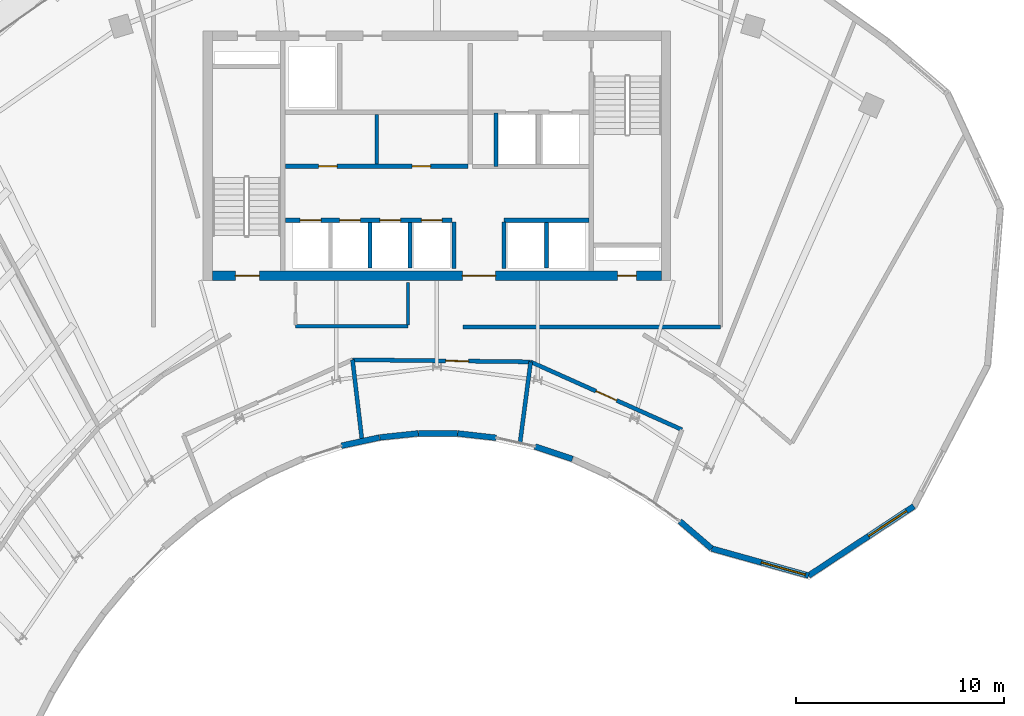
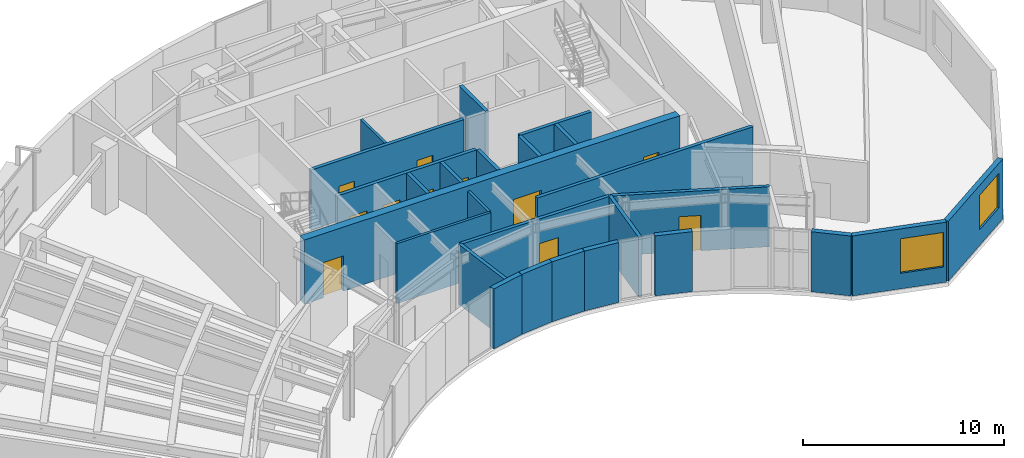
# One storey, part 8 of 12: 26 walls, 11 doors, 2 windows, 13 openings.
"""IFC4 building model written with IfcOpenShell, lengths in metres."""

import ifcopenshell
import ifcopenshell.guid

model = None  # the IFC model being written
_history = None  # IfcOwnerHistory: only IFC2X3 demands one
_inside = {}  # id of a spatial element -> (the spatial element, [elements in it])
_under = {}  # id of a project, library or spatial element -> (it, [spatial elements below it])
_declared = {}  # id of a project -> (the project, [libraries it declares])
_typed = {}  # id of a type object -> (the type object, [elements of that type])
_made_of = {}  # id of a material, layer set ... -> (it, [elements and type objects made of it])


def new_model(schema):
    """Start an empty IFC model of exactly this schema.

    Asked for "IFC4X3", IfcOpenShell would pick the latest addendum, in which some entities
    have other attributes; the version numbers below select the first issue.
    IFC2X3 requires an IfcOwnerHistory on every rooted entity: one is made here for all.
    """
    global model, _history
    if schema == "IFC4X3":
        model = ifcopenshell.file(schema_version=(4, 3, 0, 0))
    else:
        model = ifcopenshell.file(schema=schema)
    _inside.clear()
    _under.clear()
    _declared.clear()
    _typed.clear()
    _made_of.clear()
    _history = None
    if model.schema == "IFC2X3":
        org = make("IfcOrganization", Name="unknown")
        user = make(
            "IfcPersonAndOrganization",
            ThePerson=make("IfcPerson", FamilyName="unknown"),
            TheOrganization=org,
        )
        app = make(
            "IfcApplication",
            ApplicationDeveloper=org,
            Version="unknown",
            ApplicationFullName="unknown",
            ApplicationIdentifier="unknown",
        )
        _history = make(
            "IfcOwnerHistory",
            OwningUser=user,
            OwningApplication=app,
            ChangeAction="ADDED",
            CreationDate=0,
        )
    return model


def make(cls, **values):
    """One entity of the class cls with the attributes given. An attribute that is None is left unset."""
    return model.create_entity(
        cls, **{name: value for name, value in values.items() if value is not None}
    )


def rooted(cls, **values):
    """An entity with a GlobalId (a new one), such as an element, a storey or a relation."""
    return make(cls, GlobalId=ifcopenshell.guid.new(), OwnerHistory=_history, **values)


def si_unit(unit_type, name, prefix=None):
    """IfcSIUnit, for example si_unit("LENGTHUNIT", "METRE", prefix="MILLI")."""
    return make("IfcSIUnit", UnitType=unit_type, Prefix=prefix, Name=name)


def assignment(units):
    """IfcUnitAssignment: the units of a project."""
    return None if units is None else make("IfcUnitAssignment", Units=units)


def point(xyz):
    """IfcCartesianPoint."""
    return None if xyz is None else make("IfcCartesianPoint", Coordinates=xyz)


def direction(xyz):
    """IfcDirection."""
    return None if xyz is None else make("IfcDirection", DirectionRatios=xyz)


def frame(location, z_axis=None, x_axis=None):
    """IfcAxis2Placement3D, a coordinate frame: its origin and axes. An axis left out is left unset."""
    return make(
        "IfcAxis2Placement3D",
        Location=point(location),
        Axis=direction(z_axis),
        RefDirection=direction(x_axis),
    )


def frame_2d(location, x_axis=None):
    """IfcAxis2Placement2D, a coordinate frame in the plane: its origin and x axis."""
    return make(
        "IfcAxis2Placement2D", Location=point(location), RefDirection=direction(x_axis)
    )


def origin():
    """The frame at (0, 0, 0) with its axes left unset."""
    return frame((0.0, 0.0, 0.0))


def place(relative_to, where):
    """IfcLocalPlacement: puts the frame where relative to a parent placement (None: the world)."""
    return make(
        "IfcLocalPlacement", PlacementRelTo=relative_to, RelativePlacement=where
    )


def context(
    kind, dimensions, precision=None, world=None, true_north=None, identifier=None
):
    """IfcGeometricRepresentationContext, for example the 3D "Model" context."""
    return make(
        "IfcGeometricRepresentationContext",
        ContextIdentifier=identifier,
        ContextType=kind,
        CoordinateSpaceDimension=dimensions,
        Precision=precision,
        WorldCoordinateSystem=world,
        TrueNorth=true_north,
    )


def subcontext(parent, identifier, kind, view, scale=None):
    """IfcGeometricRepresentationSubContext, for example "Body" below "Model"."""
    return make(
        "IfcGeometricRepresentationSubContext",
        ContextIdentifier=identifier,
        ContextType=kind,
        ParentContext=parent,
        TargetScale=scale,
        TargetView=view,
    )


def project(units=None, contexts=None):
    """IfcProject with its units and contexts."""
    return rooted(
        "IfcProject",
        Name="project",
        RepresentationContexts=contexts,
        UnitsInContext=assignment(units),
    )


def spatial(cls, under=None, at=None, **own):
    """A site, building, storey or space (cls), placed at a placement, below another one or the project."""
    s = rooted(cls, ObjectPlacement=at, **own)
    if under is not None:
        _under.setdefault(under.id(), (under, []))[1].append(s)
    return s


def profile(cls, at=None, kind="AREA", **sizes):
    """A parametric profile (cls). Its sizes go by their IFC names, for example OverallWidth=200.0."""
    return make(cls, ProfileType=kind, Position=at, **sizes)


def rectangle(**sizes):
    """IfcRectangleProfileDef."""
    return profile("IfcRectangleProfileDef", **sizes)


def extrude(swept, where, along, depth):
    """IfcExtrudedAreaSolid: the profile swept, set in the frame where, extruded along a direction by depth."""
    return make(
        "IfcExtrudedAreaSolid",
        SweptArea=swept,
        Position=where,
        ExtrudedDirection=direction(along),
        Depth=depth,
    )


def shape(context_of_items, identifier, shape_type, items):
    """IfcShapeRepresentation: the items that make up one representation, for example the "Body"."""
    return make(
        "IfcShapeRepresentation",
        ContextOfItems=context_of_items,
        RepresentationIdentifier=identifier,
        RepresentationType=shape_type,
        Items=items,
    )


def source(mapping_origin, context_of_items, identifier, shape_type, items):
    """IfcRepresentationMap: a shape defined once, which mapped items show again and again."""
    return make(
        "IfcRepresentationMap",
        MappingOrigin=mapping_origin,
        MappedRepresentation=shape(context_of_items, identifier, shape_type, items),
    )


def transform(
    local_origin,
    x_axis=None,
    y_axis=None,
    z_axis=None,
    scale=None,
    scale2=None,
    scale3=None,
    uniform=True,
):
    """IfcCartesianTransformationOperator3D, or its non-uniform kind. x_axis, y_axis, z_axis: its Axis1, 2, 3."""
    if uniform:
        return make(
            "IfcCartesianTransformationOperator3D",
            Axis1=direction(x_axis),
            Axis2=direction(y_axis),
            LocalOrigin=point(local_origin),
            Scale=scale,
            Axis3=direction(z_axis),
        )
    return make(
        "IfcCartesianTransformationOperator3DnonUniform",
        Axis1=direction(x_axis),
        Axis2=direction(y_axis),
        LocalOrigin=point(local_origin),
        Scale=scale,
        Axis3=direction(z_axis),
        Scale2=scale2,
        Scale3=scale3,
    )


def mapped(mapping_source, mapping_target):
    """IfcMappedItem: shows the shape of a source again, moved by a transform."""
    return make(
        "IfcMappedItem", MappingSource=mapping_source, MappingTarget=mapping_target
    )


def material(Name=None, Category=None):
    """IfcMaterial."""
    return make("IfcMaterial", Name=Name, Category=Category)


def layer(
    of_material, thickness, ventilated=None, Name=None, Category=None, Priority=None
):
    """IfcMaterialLayer: one layer of a wall or slab, of a material (None: an air gap)."""
    return make(
        "IfcMaterialLayer",
        Material=of_material,
        LayerThickness=thickness,
        IsVentilated=ventilated,
        Name=Name,
        Category=Category,
        Priority=Priority,
    )


def layer_set(layers, Name=None):
    """IfcMaterialLayerSet."""
    return make("IfcMaterialLayerSet", MaterialLayers=layers, LayerSetName=Name)


def made_of(thing, what):
    """Note that an element or type object is made of a material, layer set ...; save() writes the relation."""
    if what is not None:
        _made_of.setdefault(what.id(), (what, []))[1].append(thing)
    return thing


def type_object(cls, material=None, **own):
    """A type object (cls), such as IfcWallType, which elements share."""
    return made_of(rooted(cls, **own), material)


def type_shapes(of_type, sources):
    """Give a type object the sources (RepresentationMaps) that its elements show as mapped items."""
    of_type.RepresentationMaps = sources


def element(
    cls,
    number,
    at=None,
    inside=None,
    cuts=None,
    type_object=None,
    material=None,
    context=None,
    identifier="Body",
    shape_type=None,
    held_by="IfcProductDefinitionShape",
    body=None,
    shapes=None,
    **own,
):
    """One element of the class cls, such as IfcWall. Its Tag is "e" and its number.

    at: its placement. inside: the storey or other place that contains it. cuts: it is an
    opening in that element (IfcRelVoidsElement). A single representation is given by context,
    identifier, shape_type and body (its items); several are given by shapes. held_by: the class
    of the entity that holds the representations. save() writes the other relations.
    """
    e = rooted(cls, Tag="e%d" % number, ObjectPlacement=at, **own)
    if body is not None:
        shapes = [shape(context, identifier, shape_type, body)]
    if shapes is not None:
        e.Representation = make(held_by, Representations=shapes)
    if inside is not None:
        _inside.setdefault(inside.id(), (inside, []))[1].append(e)
    if cuts is not None:
        rooted(
            "IfcRelVoidsElement", RelatingBuildingElement=cuts, RelatedOpeningElement=e
        )
    if type_object is not None:
        _typed.setdefault(type_object.id(), (type_object, []))[1].append(e)
    return made_of(e, material)


def fill(opening, filler):
    """IfcRelFillsElement: the door or window that sits in an opening."""
    return rooted(
        "IfcRelFillsElement",
        RelatingOpeningElement=opening,
        RelatedBuildingElement=filler,
    )


def aggregate(whole, parts):
    """IfcRelAggregates: a whole, such as a stair, and the parts it consists of."""
    return rooted("IfcRelAggregates", RelatingObject=whole, RelatedObjects=parts)


def save(model, path):
    """Write the relations noted so far, then the file.

    IfcRelAggregates (storeys below a building ...), IfcRelContainedInSpatialStructure (elements
    in a storey), IfcRelDefinesByType, IfcRelAssociatesMaterial and IfcRelDeclares: one each for
    every whole, place, type object, material and project.
    """
    for whole, parts in _under.values():
        aggregate(whole, parts)
    for where, things in _inside.values():
        rooted(
            "IfcRelContainedInSpatialStructure",
            RelatedElements=things,
            RelatingStructure=where,
        )
    for kind, things in _typed.values():
        rooted("IfcRelDefinesByType", RelatedObjects=things, RelatingType=kind)
    for what, things in _made_of.values():
        rooted("IfcRelAssociatesMaterial", RelatedObjects=things, RelatingMaterial=what)
    for by, libraries in _declared.values():
        rooted("IfcRelDeclares", RelatingContext=by, RelatedDefinitions=libraries)
    model.write(path)


model = new_model("IFC4")

# Units and contexts
model_context = context("Model", 3, precision=1e-05, world=origin(), true_north=direction((0.0, 1.0)))
body_context = subcontext(model_context, "Body", "Model", "MODEL_VIEW")
ifc_project = project(units=[si_unit("LENGTHUNIT", "METRE"), si_unit("AREAUNIT", "SQUARE_METRE"), si_unit("VOLUMEUNIT", "CUBIC_METRE"), si_unit("PLANEANGLEUNIT", "RADIAN"), si_unit("MASSUNIT", "GRAM", prefix="KILO")], contexts=[model_context])

# Site, building, storey
site_placement = place(None, origin())
site = spatial("IfcSite", under=ifc_project, at=site_placement, CompositionType="ELEMENT")
building_placement = place(site_placement, origin())
building = spatial("IfcBuilding", under=site, at=building_placement, Name="Breltana Convention Tower", CompositionType="ELEMENT")
storey_placement = place(building_placement, frame((0.0, 0.0, 246.89990234375)))
storey = spatial("IfcBuildingStorey", under=building, at=storey_placement, Name="L60", CompositionType="ELEMENT", Elevation=246.89990234375)

# Wall, openings, doors
ifc_material_1 = material(Name="Concrete C60/75", Category="concrete")
ifc_layer_1 = layer(ifc_material_1, 0.449951171875, Name="Concrete C60/75")
ifc_layer_set_1 = layer_set([ifc_layer_1], Name="Concrete C60/75")
wall_type_1 = type_object("IfcWallType", Name="SW-CORE-450", PredefinedType="SHEAR", material=ifc_layer_set_1)
shared_shape_1 = source(origin(), body_context, "Body", "SweptSolid", [
    extrude(rectangle(XDim=21.60009765625, YDim=0.449951171875, at=frame_2d((10.800048828125, 0.0))), origin(), (0.0, 0.0, 1.0), 3.900146484375),
])
wall_1_placement = place(storey_placement, frame((37.199951171875, 60.425048828125, 0.0), z_axis=(0.0, 0.0, 1.0), x_axis=(1.0, 0.0, 0.0)))
wall_1 = element("IfcWall", 1, at=wall_1_placement, inside=storey, type_object=wall_type_1, Name="L60 South Core Shear Wall", PredefinedType="SHEAR", context=body_context, shape_type="MappedRepresentation", body=[
    mapped(shared_shape_1, transform((0.0, 0.0, 0.0), scale=1.0)),
])
opening_1_placement = place(wall_1_placement, frame((1.10009765625, 0.0, 0.0)))
opening_1 = element("IfcOpeningElement", 2, at=opening_1_placement, cuts=wall_1, Name="Opening D-11", PredefinedType="OPENING", context=body_context, shape_type="SweptSolid", body=[
    extrude(rectangle(XDim=1.14990234375, YDim=2.14990234375, at=frame_2d((0.574951171875, 1.074951171875))), frame((0.0, 0.23486328125, 0.0), z_axis=(0.0, -1.0, 0.0), x_axis=(1.0, 0.0, 0.0)), (0.0, 0.0, 1.0), 0.469970703125),
])
opening_2_placement = place(wall_1_placement, frame((19.5, 0.0, 0.0)))
opening_2 = element("IfcOpeningElement", 3, at=opening_2_placement, cuts=wall_1, Name="Opening D-18", PredefinedType="OPENING", context=body_context, shape_type="SweptSolid", body=[
    extrude(rectangle(XDim=0.89990234375, YDim=2.10009765625, at=frame_2d((0.449951171875, 1.050048828125))), frame((0.0, 0.23486328125, 0.0), z_axis=(0.0, -1.0, 0.0), x_axis=(1.0, 0.0, 0.0)), (0.0, 0.0, 1.0), 0.469970703125),
])
opening_3_placement = place(wall_1_placement, frame((12.02001953125, 0.0, 0.0)))
opening_3 = element("IfcOpeningElement", 4, at=opening_3_placement, cuts=wall_1, Name="Opening D-02", PredefinedType="OPENING", context=body_context, shape_type="SweptSolid", body=[
    extrude(rectangle(XDim=1.60009765625, YDim=2.14990234375, at=frame_2d((0.800048828125, 1.074951171875))), frame((0.0, 0.23486328125, 0.0), z_axis=(0.0, -1.0, 0.0), x_axis=(1.0, 0.0, 0.0)), (0.0, 0.0, 1.0), 0.469970703125),
])
ifc_material_2 = material(Name="Steel Stair Exit Door", Category="steel")
door_type_1 = type_object("IfcDoorType", Name="DR-FD120-1150", OperationType="NOTDEFINED", PredefinedType="DOOR", material=ifc_material_2)
shared_shape_2 = source(origin(), body_context, "Body", "SweptSolid", [
    extrude(rectangle(XDim=1.14990234375, YDim=2.14990234375, at=frame_2d((0.574951171875, 1.074951171875))), frame((0.0, 0.02490234375, 0.0), z_axis=(0.0, -1.0, 0.0), x_axis=(1.0, 0.0, 0.0)), (0.0, 0.0, 1.0), 0.050048828125),
])
type_shapes(door_type_1, [shared_shape_2])
door_1_placement = place(opening_1_placement, origin())
door_1 = element("IfcDoor", 5, at=door_1_placement, inside=storey, type_object=door_type_1, Name="L60 interior door D-L60-ST1", OperationType="SINGLE_SWING_LEFT", OverallHeight=2.14990234375, OverallWidth=1.14990234375, PredefinedType="DOOR", context=body_context, shape_type="MappedRepresentation", body=[
    mapped(shared_shape_2, transform((0.0, 0.0, 0.0), scale=1.0)),
])
fill(opening_1, door_1)
ifc_material_3 = material(Name="Steel Riser Fire Door", Category="steel")
door_type_2 = type_object("IfcDoorType", Name="DR-FD60-900", OperationType="NOTDEFINED", PredefinedType="DOOR", material=ifc_material_3)
shared_shape_3 = source(origin(), body_context, "Body", "SweptSolid", [
    extrude(rectangle(XDim=0.89990234375, YDim=2.10009765625, at=frame_2d((0.449951171875, 1.050048828125))), frame((0.0, 0.02490234375, 0.0), z_axis=(0.0, -1.0, 0.0), x_axis=(1.0, 0.0, 0.0)), (0.0, 0.0, 1.0), 0.050048828125),
])
type_shapes(door_type_2, [shared_shape_3])
door_2_placement = place(opening_2_placement, origin())
door_2 = element("IfcDoor", 6, at=door_2_placement, inside=storey, type_object=door_type_2, Name="L60 Core Riser Access Door D-L60-RS2", OperationType="SINGLE_SWING_RIGHT", OverallHeight=2.10009765625, OverallWidth=0.89990234375, PredefinedType="DOOR", context=body_context, shape_type="MappedRepresentation", body=[
    mapped(shared_shape_3, transform((0.0, 0.0, 0.0), scale=1.0)),
])
fill(opening_2, door_2)
ifc_material_4 = material(Name="Steel Glazed Smoke-Control Door", Category="steel")
door_type_3 = type_object("IfcDoorType", Name="DR-DBL-FD90-1600", OperationType="DOUBLE_DOOR_SINGLE_SWING", PredefinedType="DOOR", material=ifc_material_4)
shared_shape_4 = source(origin(), body_context, "Body", "SweptSolid", [
    extrude(rectangle(XDim=1.60009765625, YDim=2.14990234375, at=frame_2d((0.800048828125, 1.074951171875))), frame((0.0, 0.02490234375, 0.0), z_axis=(0.0, -1.0, 0.0), x_axis=(1.0, 0.0, 0.0)), (0.0, 0.0, 1.0), 0.050048828125),
])
type_shapes(door_type_3, [shared_shape_4])
door_3_placement = place(opening_3_placement, origin())
door_3 = element("IfcDoor", 7, at=door_3_placement, inside=storey, type_object=door_type_3, Name="L60 interior door D-L60-LLB-S", OperationType="DOUBLE_DOOR_SINGLE_SWING", OverallHeight=2.14990234375, OverallWidth=1.60009765625, PredefinedType="DOOR", context=body_context, shape_type="MappedRepresentation", body=[
    mapped(shared_shape_4, transform((0.0, 0.0, 0.0), scale=1.0)),
])
fill(opening_3, door_3)

# Wall, opening, window
ifc_material_5 = material(Name="Limestone Buff Insulated Wall", Category="masonry")
ifc_layer_2 = layer(ifc_material_5, 0.280029296875, Name="Limestone Buff Insulated Wall")
ifc_layer_set_2 = layer_set([ifc_layer_2], Name="Limestone Buff Insulated Wall")
wall_type_2 = type_object("IfcWallType", Name="WL-EXT-NOSE-280", PredefinedType="SOLIDWALL", material=ifc_layer_set_2)
shared_shape_5 = source(origin(), body_context, "Body", "SweptSolid", [
    extrude(rectangle(XDim=6.065185546875, YDim=0.280029296875, at=frame_2d((3.03271484375, 0.0))), origin(), (0.0, 0.0, 1.0), 3.650146484375),
])
wall_2_placement = place(storey_placement, frame((70.9541015625, 49.3349609375, 0.0), z_axis=(0.0, 0.0, 1.0), x_axis=(-0.834857303202, -0.550466423399, 0.0)))
wall_2 = element("IfcWall", 8, at=wall_2_placement, inside=storey, type_object=wall_type_2, Name="L60 curved limestone nose wall E4", PredefinedType="SOLIDWALL", context=body_context, shape_type="MappedRepresentation", body=[
    mapped(shared_shape_5, transform((0.0, 0.0, 0.0), scale=1.0)),
])
opening_4_placement = place(wall_2_placement, frame((0.416259765625, 0.0, 0.949951171875)))
opening_4 = element("IfcOpeningElement", 9, at=opening_4_placement, cuts=wall_2, Name="Opening W-03", PredefinedType="OPENING", context=body_context, shape_type="SweptSolid", body=[
    extrude(rectangle(XDim=2.199951171875, YDim=2.10009765625, at=frame_2d((1.10009765625, 1.050048828125))), frame((0.0, 0.14990234375, 0.0), z_axis=(0.0, -1.0, 0.0), x_axis=(1.0, 0.0, 0.0)), (0.0, 0.0, 1.0), 0.300048828125),
])
ifc_material_6 = material(Name="Glass Low-E Insulated Window", Category="glass")
window_type = type_object("IfcWindowType", Name="WN-NOSE-2200X2100", PartitioningType="TRIPLE_PANEL_VERTICAL", PredefinedType="WINDOW", material=ifc_material_6)
shared_shape_6 = source(origin(), body_context, "Body", "SweptSolid", [
    extrude(rectangle(XDim=2.199951171875, YDim=2.10009765625, at=frame_2d((1.10009765625, 1.050048828125))), frame((0.0, 0.030029296875, 0.0), z_axis=(0.0, -1.0, 0.0), x_axis=(1.0, 0.0, 0.0)), (0.0, 0.0, 1.0), 0.06005859375),
])
type_shapes(window_type, [shared_shape_6])
window_1_placement = place(opening_4_placement, origin())
window_1 = element("IfcWindow", 10, at=window_1_placement, inside=storey, type_object=window_type, Name="L60 nose window E4", OverallHeight=2.10009765625, OverallWidth=2.199951171875, PartitioningType="TRIPLE_PANEL_VERTICAL", PredefinedType="WINDOW", context=body_context, shape_type="MappedRepresentation", body=[
    mapped(shared_shape_6, transform((0.0, 0.0, 0.0), scale=1.0)),
])
fill(opening_4, window_1)

shared_shape_7 = source(origin(), body_context, "Body", "SweptSolid", [
    extrude(rectangle(XDim=4.84716796875, YDim=0.280029296875, at=frame_2d((2.423583984375, 0.0))), origin(), (0.0, 0.0, 1.0), 3.650146484375),
])
wall_3_placement = place(storey_placement, frame((65.890625, 45.996337890625, 0.0), z_axis=(0.0, 0.0, 1.0), x_axis=(-0.963208430762, 0.268755500238, 0.0)))
wall_3 = element("IfcWall", 11, at=wall_3_placement, inside=storey, type_object=wall_type_2, Name="L60 curved limestone nose wall E5", PredefinedType="SOLIDWALL", context=body_context, shape_type="MappedRepresentation", body=[
    mapped(shared_shape_7, transform((0.0, 0.0, 0.0), scale=1.0)),
])
opening_5_placement = place(wall_3_placement, frame((0.159912109375, 0.0, 0.949951171875)))
opening_5 = element("IfcOpeningElement", 12, at=opening_5_placement, cuts=wall_3, Name="Opening W-03", PredefinedType="OPENING", context=body_context, shape_type="SweptSolid", body=[
    extrude(rectangle(XDim=2.199951171875, YDim=2.10009765625, at=frame_2d((1.10009765625, 1.050048828125))), frame((0.0, 0.14990234375, 0.0), z_axis=(0.0, -1.0, 0.0), x_axis=(1.0, 0.0, 0.0)), (0.0, 0.0, 1.0), 0.300048828125),
])
window_2_placement = place(opening_5_placement, origin())
window_2 = element("IfcWindow", 13, at=window_2_placement, inside=storey, type_object=window_type, Name="L60 nose window E5", OverallHeight=2.10009765625, OverallWidth=2.199951171875, PartitioningType="TRIPLE_PANEL_VERTICAL", PredefinedType="WINDOW", context=body_context, shape_type="MappedRepresentation", body=[
    mapped(shared_shape_6, transform((0.0, 0.0, 0.0), scale=1.0)),
])
fill(opening_5, window_2)

# Walls
shared_shape_8 = source(origin(), body_context, "Body", "SweptSolid", [
    extrude(rectangle(XDim=2.022216796875, YDim=0.280029296875, at=frame_2d((1.01123046875, 0.0))), origin(), (0.0, 0.0, 1.0), 3.650146484375),
])
wall_4_placement = place(storey_placement, frame((61.2216796875, 47.299072265625, 0.0), z_axis=(0.0, 0.0, 1.0), x_axis=(-0.758343943716, 0.651854633358, 0.0)))
element("IfcWall", 14, at=wall_4_placement, inside=storey, type_object=wall_type_2, Name="L60 curved limestone nose wall E6", PredefinedType="SOLIDWALL", context=body_context, shape_type="MappedRepresentation", body=[
    mapped(shared_shape_8, transform((0.0, 0.0, 0.0), scale=1.0)),
])
shared_shape_9 = source(origin(), body_context, "Body", "SweptSolid", [
    extrude(rectangle(XDim=1.901123046875, YDim=0.280029296875, at=frame_2d((0.95068359375, 0.0))), origin(), (0.0, 0.0, 1.0), 3.650146484375),
])
wall_5_placement = place(storey_placement, frame((54.52294921875, 51.608154296875, 0.0), z_axis=(0.0, 0.0, 1.0), x_axis=(-0.94793587841, 0.318461254194, 0.0)))
element("IfcWall", 15, at=wall_5_placement, inside=storey, type_object=wall_type_2, Name="L60 curved limestone nose wall E8", PredefinedType="SOLIDWALL", context=body_context, shape_type="MappedRepresentation", body=[
    mapped(shared_shape_9, transform((0.0, 0.0, 0.0), scale=1.0)),
])
shared_shape_10 = source(origin(), body_context, "Body", "SweptSolid", [
    extrude(rectangle(XDim=1.858154296875, YDim=0.280029296875, at=frame_2d((0.92919921875, 0.0))), origin(), (0.0, 0.0, 1.0), 3.650146484375),
])
wall_6_placement = place(storey_placement, frame((48.9794921875, 52.837890625, 0.0), z_axis=(0.0, 0.0, 1.0), x_axis=(-0.999995433965, 0.003021928128, 0.0)))
element("IfcWall", 16, at=wall_6_placement, inside=storey, type_object=wall_type_2, Name="L60 curved limestone nose wall E10", PredefinedType="SOLIDWALL", context=body_context, shape_type="MappedRepresentation", body=[
    mapped(shared_shape_10, transform((0.0, 0.0, 0.0), scale=1.0)),
])
shared_shape_11 = source(origin(), body_context, "Body", "SweptSolid", [
    extrude(rectangle(XDim=1.8623046875, YDim=0.280029296875, at=frame_2d((0.93115234375, 0.0))), origin(), (0.0, 0.0, 1.0), 3.650146484375),
])
wall_7_placement = place(storey_placement, frame((47.101806640625, 52.84228515625, 0.0), z_axis=(0.0, 0.0, 1.0), x_axis=(-0.994430497743, -0.1053944266, 0.0)))
element("IfcWall", 17, at=wall_7_placement, inside=storey, type_object=wall_type_2, Name="L60 curved limestone nose wall E11", PredefinedType="SOLIDWALL", context=body_context, shape_type="MappedRepresentation", body=[
    mapped(shared_shape_11, transform((0.0, 0.0, 0.0), scale=1.0)),
])
shared_shape_12 = source(origin(), body_context, "Body", "SweptSolid", [
    extrude(rectangle(XDim=1.876708984375, YDim=0.280029296875, at=frame_2d((0.9384765625, 0.0))), origin(), (0.0, 0.0, 1.0), 3.650146484375),
])
wall_8_placement = place(storey_placement, frame((45.230712890625, 52.642822265625, 0.0), z_axis=(0.0, 0.0, 1.0), x_axis=(-0.97737202312, -0.211527606761, 0.0)))
element("IfcWall", 18, at=wall_8_placement, inside=storey, type_object=wall_type_2, Name="L60 curved limestone nose wall E12", PredefinedType="SOLIDWALL", context=body_context, shape_type="MappedRepresentation", body=[
    mapped(shared_shape_12, transform((0.0, 0.0, 0.0), scale=1.0)),
])
shared_shape_13 = source(origin(), body_context, "Body", "SweptSolid", [
    extrude(rectangle(XDim=1.86328125, YDim=0.280029296875, at=frame_2d((0.931640625, 0.0))), origin(), (0.0, 0.0, 1.0), 3.650146484375),
])
wall_9_placement = place(storey_placement, frame((50.8505859375, 52.629638671875, 0.0), z_axis=(0.0, 0.0, 1.0), x_axis=(-0.9937939307, 0.111236789343, 0.0)))
element("IfcWall", 19, at=wall_9_placement, inside=storey, type_object=wall_type_2, Name="L60 curved limestone nose wall E9", PredefinedType="SOLIDWALL", context=body_context, shape_type="MappedRepresentation", body=[
    mapped(shared_shape_13, transform((0.0, 0.0, 0.0), scale=1.0)),
])
ifc_material_7 = material(Name="Autoclaved Aerated Concrete Block", Category="concrete")
ifc_layer_3 = layer(ifc_material_7, 0.199951171875, Name="Autoclaved Aerated Concrete Block")
ifc_layer_set_3 = layer_set([ifc_layer_3], Name="Autoclaved Aerated Concrete Block")
wall_type_3 = type_object("IfcWallType", Name="WL-SHAFT-200", PredefinedType="SOLIDWALL", material=ifc_layer_set_3)
shared_shape_14 = source(origin(), body_context, "Body", "SweptSolid", [
    extrude(rectangle(XDim=2.239990234375, YDim=0.199951171875, at=frame_2d((1.1201171875, 0.0))), origin(), (0.0, 0.0, 1.0), 3.650146484375),
])
for number, where, z_axis, x_axis, name in (
    (20, (48.820068359375, 60.780029296875, 0.0), (0.0, 0.0, 1.0), (0.0, 1.0, 0.0), "L60 interior partition W-L60-PORT-W"),
    (21, (51.219970703125, 60.780029296875, 0.0), (0.0, 0.0, 1.0), (0.0, 1.0, 0.0), "L60 interior partition W-L60-PORT-E"),
):
    element("IfcWall", number, at=place(storey_placement, frame(where, z_axis=z_axis, x_axis=x_axis)), inside=storey, type_object=wall_type_3, Name=name, PredefinedType="SOLIDWALL", context=body_context, shape_type="MappedRepresentation", body=[
        mapped(shared_shape_14, transform((0.0, 0.0, 0.0), scale=1.0)),
    ])
shared_shape_15 = source(origin(), body_context, "Body", "SweptSolid", [
    extrude(rectangle(XDim=2.580078125, YDim=0.199951171875, at=frame_2d((1.2900390625, 0.0))), origin(), (0.0, 0.0, 1.0), 3.650146484375),
])
wall_10_placement = place(storey_placement, frame((50.85009765625, 65.679931640625, 0.0), z_axis=(0.0, 0.0, 1.0), x_axis=(0.0, 1.0, 0.0)))
element("IfcWall", 22, at=wall_10_placement, inside=storey, type_object=wall_type_3, Name="L60 interior partition W-L60-FL-W", PredefinedType="SOLIDWALL", context=body_context, shape_type="MappedRepresentation", body=[
    mapped(shared_shape_15, transform((0.0, 0.0, 0.0), scale=1.0)),
])

# Wall, openings, doors
shared_shape_16 = source(origin(), body_context, "Body", "SweptSolid", [
    extrude(rectangle(XDim=8.800048828125, YDim=0.199951171875, at=frame_2d((4.39990234375, 0.0))), origin(), (0.0, 0.0, 1.0), 3.650146484375),
])
wall_11_placement = place(storey_placement, frame((40.699951171875, 65.699951171875, 0.0), z_axis=(0.0, 0.0, 1.0), x_axis=(1.0, 0.0, 0.0)))
wall_11 = element("IfcWall", 23, at=wall_11_placement, inside=storey, type_object=wall_type_3, Name="L60 interior partition W-L60-SH-M-FRONT", PredefinedType="SOLIDWALL", context=body_context, shape_type="MappedRepresentation", body=[
    mapped(shared_shape_16, transform((0.0, 0.0, 0.0), scale=1.0)),
])
opening_6_placement = place(wall_11_placement, frame((1.60009765625, 0.0, 0.0)))
opening_6 = element("IfcOpeningElement", 24, at=opening_6_placement, cuts=wall_11, Name="Opening D-18", PredefinedType="OPENING", context=body_context, shape_type="SweptSolid", body=[
    extrude(rectangle(XDim=0.89990234375, YDim=2.10009765625, at=frame_2d((0.449951171875, 1.050048828125))), frame((0.0, 0.10986328125, 0.0), z_axis=(0.0, -1.0, 0.0), x_axis=(1.0, 0.0, 0.0)), (0.0, 0.0, 1.0), 0.219970703125),
])
opening_7_placement = place(wall_11_placement, frame((6.10009765625, 0.0, 0.0)))
opening_7 = element("IfcOpeningElement", 25, at=opening_7_placement, cuts=wall_11, Name="Opening D-18", PredefinedType="OPENING", context=body_context, shape_type="SweptSolid", body=[
    extrude(rectangle(XDim=0.89990234375, YDim=2.10009765625, at=frame_2d((0.449951171875, 1.050048828125))), frame((0.0, 0.10986328125, 0.0), z_axis=(0.0, -1.0, 0.0), x_axis=(1.0, 0.0, 0.0)), (0.0, 0.0, 1.0), 0.219970703125),
])
door_4_placement = place(opening_6_placement, origin())
door_4 = element("IfcDoor", 26, at=door_4_placement, inside=storey, type_object=door_type_2, Name="L60 interior door D-L60-LV7-B2A", OperationType="SINGLE_SWING_LEFT", OverallHeight=2.10009765625, OverallWidth=0.89990234375, PredefinedType="DOOR", context=body_context, shape_type="MappedRepresentation", body=[
    mapped(shared_shape_3, transform((0.0, 0.0, 0.0), scale=1.0)),
])
fill(opening_6, door_4)
door_5_placement = place(opening_7_placement, origin())
door_5 = element("IfcDoor", 27, at=door_5_placement, inside=storey, type_object=door_type_2, Name="L60 interior door D-L60-LV7-B2B", OperationType="SINGLE_SWING_RIGHT", OverallHeight=2.10009765625, OverallWidth=0.89990234375, PredefinedType="DOOR", context=body_context, shape_type="MappedRepresentation", body=[
    mapped(shared_shape_3, transform((0.0, 0.0, 0.0), scale=1.0)),
])
fill(opening_7, door_5)

shared_shape_17 = source(origin(), body_context, "Body", "SweptSolid", [
    extrude(rectangle(XDim=8.02001953125, YDim=0.199951171875, at=frame_2d((4.010009765625, 0.0))), origin(), (0.0, 0.0, 1.0), 3.650146484375),
])
wall_12_placement = place(storey_placement, frame((40.699951171875, 63.10009765625, 0.0), z_axis=(0.0, 0.0, 1.0), x_axis=(1.0, 0.0, 0.0)))
wall_12 = element("IfcWall", 28, at=wall_12_placement, inside=storey, type_object=wall_type_3, Name="L60 interior partition W-L60-SH-S-FRONT", PredefinedType="SOLIDWALL", context=body_context, shape_type="MappedRepresentation", body=[
    mapped(shared_shape_17, transform((0.0, 0.0, 0.0), scale=1.0)),
])
opening_8_placement = place(wall_12_placement, frame((0.719970703125, 0.0, 0.0)))
opening_8 = element("IfcOpeningElement", 29, at=opening_8_placement, cuts=wall_12, Name="Opening LD-04", PredefinedType="OPENING", context=body_context, shape_type="SweptSolid", body=[
    extrude(rectangle(XDim=1.0, YDim=2.14990234375, at=frame_2d((0.5, 1.074951171875))), frame((0.0, 0.10986328125, 0.0), z_axis=(0.0, -1.0, 0.0), x_axis=(1.0, 0.0, 0.0)), (0.0, 0.0, 1.0), 0.219970703125),
])
opening_9_placement = place(wall_12_placement, frame((2.6201171875, 0.0, 0.0)))
opening_9 = element("IfcOpeningElement", 30, at=opening_9_placement, cuts=wall_12, Name="Opening LD-04", PredefinedType="OPENING", context=body_context, shape_type="SweptSolid", body=[
    extrude(rectangle(XDim=1.0, YDim=2.14990234375, at=frame_2d((0.5, 1.074951171875))), frame((0.0, 0.10986328125, 0.0), z_axis=(0.0, -1.0, 0.0), x_axis=(1.0, 0.0, 0.0)), (0.0, 0.0, 1.0), 0.219970703125),
])
opening_10_placement = place(wall_12_placement, frame((4.550048828125, 0.0, 0.0)))
opening_10 = element("IfcOpeningElement", 31, at=opening_10_placement, cuts=wall_12, Name="Opening LD-04", PredefinedType="OPENING", context=body_context, shape_type="SweptSolid", body=[
    extrude(rectangle(XDim=1.0, YDim=2.14990234375, at=frame_2d((0.5, 1.074951171875))), frame((0.0, 0.10986328125, 0.0), z_axis=(0.0, -1.0, 0.0), x_axis=(1.0, 0.0, 0.0)), (0.0, 0.0, 1.0), 0.219970703125),
])
opening_11_placement = place(wall_12_placement, frame((6.550048828125, 0.0, 0.0)))
opening_11 = element("IfcOpeningElement", 32, at=opening_11_placement, cuts=wall_12, Name="Opening LD-04", PredefinedType="OPENING", context=body_context, shape_type="SweptSolid", body=[
    extrude(rectangle(XDim=1.0, YDim=2.14990234375, at=frame_2d((0.5, 1.074951171875))), frame((0.0, 0.10986328125, 0.0), z_axis=(0.0, -1.0, 0.0), x_axis=(1.0, 0.0, 0.0)), (0.0, 0.0, 1.0), 0.219970703125),
])
ifc_material_8 = material(Name="Stainless Steel Brushed", Category="steel")
door_type_4 = type_object("IfcDoorType", Name="DR-LD-PAX-1000", OperationType="DOUBLE_DOOR_SLIDING", PredefinedType="DOOR", material=ifc_material_8)
shared_shape_18 = source(origin(), body_context, "Body", "SweptSolid", [
    extrude(rectangle(XDim=1.0, YDim=2.14990234375, at=frame_2d((0.5, 1.074951171875))), frame((0.0, 0.02490234375, 0.0), z_axis=(0.0, -1.0, 0.0), x_axis=(1.0, 0.0, 0.0)), (0.0, 0.0, 1.0), 0.050048828125),
])
type_shapes(door_type_4, [shared_shape_18])
door_6_placement = place(opening_8_placement, origin())
door_6 = element("IfcDoor", 33, at=door_6_placement, inside=storey, type_object=door_type_4, Name="L60 Lift Landing Door D-L60-LD-S1", OperationType="DOUBLE_DOOR_SLIDING", OverallHeight=2.14990234375, OverallWidth=1.0, PredefinedType="DOOR", context=body_context, shape_type="MappedRepresentation", body=[
    mapped(shared_shape_18, transform((0.0, 0.0, 0.0), scale=1.0)),
])
fill(opening_8, door_6)
door_7_placement = place(opening_9_placement, origin())
door_7 = element("IfcDoor", 34, at=door_7_placement, inside=storey, type_object=door_type_4, Name="L60 Lift Landing Door D-L60-LD-S2", OperationType="DOUBLE_DOOR_SLIDING", OverallHeight=2.14990234375, OverallWidth=1.0, PredefinedType="DOOR", context=body_context, shape_type="MappedRepresentation", body=[
    mapped(shared_shape_18, transform((0.0, 0.0, 0.0), scale=1.0)),
])
fill(opening_9, door_7)
door_8_placement = place(opening_10_placement, origin())
door_8 = element("IfcDoor", 35, at=door_8_placement, inside=storey, type_object=door_type_4, Name="L60 Lift Landing Door D-L60-LD-S3", OperationType="DOUBLE_DOOR_SLIDING", OverallHeight=2.14990234375, OverallWidth=1.0, PredefinedType="DOOR", context=body_context, shape_type="MappedRepresentation", body=[
    mapped(shared_shape_18, transform((0.0, 0.0, 0.0), scale=1.0)),
])
fill(opening_10, door_8)
door_9_placement = place(opening_11_placement, origin())
door_9 = element("IfcDoor", 36, at=door_9_placement, inside=storey, type_object=door_type_4, Name="L60 Lift Landing Door D-L60-LD-S4", OperationType="DOUBLE_DOOR_SLIDING", OverallHeight=2.14990234375, OverallWidth=1.0, PredefinedType="DOOR", context=body_context, shape_type="MappedRepresentation", body=[
    mapped(shared_shape_18, transform((0.0, 0.0, 0.0), scale=1.0)),
])
fill(opening_11, door_9)

# Walls
shared_shape_19 = source(origin(), body_context, "Body", "SweptSolid", [
    extrude(rectangle(XDim=4.10009765625, YDim=0.199951171875, at=frame_2d((2.050048828125, 0.0))), origin(), (0.0, 0.0, 1.0), 3.650146484375),
])
wall_13_placement = place(storey_placement, frame((51.219970703125, 63.10009765625, 0.0), z_axis=(0.0, 0.0, 1.0), x_axis=(1.0, 0.0, 0.0)))
element("IfcWall", 37, at=wall_13_placement, inside=storey, type_object=wall_type_3, Name="L60 interior partition W-L60-SH-X-FRONT", PredefinedType="SOLIDWALL", context=body_context, shape_type="MappedRepresentation", body=[
    mapped(shared_shape_19, transform((0.0, 0.0, 0.0), scale=1.0)),
])
shared_shape_20 = source(origin(), body_context, "Body", "SweptSolid", [
    extrude(rectangle(XDim=2.199951171875, YDim=0.199951171875, at=frame_2d((1.10009765625, 0.0))), origin(), (0.0, 0.0, 1.0), 3.650146484375),
])
for number, where, z_axis, x_axis, name in (
    (38, (44.77001953125, 60.800048828125, 0.0), (0.0, 0.0, 1.0), (0.0, 1.0, 0.0), "L60 interior partition W-L60-SH-S-DIV2"),
    (39, (46.699951171875, 60.800048828125, 0.0), (0.0, 0.0, 1.0), (0.0, 1.0, 0.0), "L60 interior partition W-L60-SH-S-DIV3"),
    (40, (53.280029296875, 60.800048828125, 0.0), (0.0, 0.0, 1.0), (0.0, 1.0, 0.0), "L60 interior partition W-L60-SH-X-DIV"),
):
    element("IfcWall", number, at=place(storey_placement, frame(where, z_axis=z_axis, x_axis=x_axis)), inside=storey, type_object=wall_type_3, Name=name, PredefinedType="SOLIDWALL", context=body_context, shape_type="MappedRepresentation", body=[
        mapped(shared_shape_20, transform((0.0, 0.0, 0.0), scale=1.0)),
    ])
ifc_material_9 = material(Name="Gypsum Acoustic Drywall Partition")
ifc_layer_4 = layer(ifc_material_9, 0.14990234375, Name="Gypsum Acoustic Drywall Partition")
ifc_layer_set_4 = layer_set([ifc_layer_4], Name="Gypsum Acoustic Drywall Partition")
wall_type_4 = type_object("IfcWallType", Name="WL-PART-150", PredefinedType="PARTITIONING", material=ifc_layer_set_4)
shared_shape_21 = source(origin(), body_context, "Body", "SweptSolid", [
    extrude(rectangle(XDim=5.400146484375, YDim=0.14990234375, at=frame_2d((2.7001953125, 0.0))), origin(), (0.0, 0.0, 1.0), 3.650146484375),
])
wall_14_placement = place(storey_placement, frame((41.199951171875, 58.0, 0.0), z_axis=(0.0, 0.0, 1.0), x_axis=(1.0, 0.0, 0.0)))
element("IfcWall", 41, at=wall_14_placement, inside=storey, type_object=wall_type_4, Name="L60 interior partition W-L60-CRSC-S", PredefinedType="PARTITIONING", context=body_context, shape_type="MappedRepresentation", body=[
    mapped(shared_shape_21, transform((0.0, 0.0, 0.0), scale=1.0)),
])
shared_shape_22 = source(origin(), body_context, "Body", "SweptSolid", [
    extrude(rectangle(XDim=2.03271484375, YDim=0.14990234375, at=frame_2d((1.016357421875, 0.0))), origin(), (0.0, 0.0, 1.0), 3.650146484375),
])
wall_15_placement = place(storey_placement, frame((46.60009765625, 58.0673828125, 0.0), z_axis=(0.0, 0.0, 1.0), x_axis=(0.0, 1.0, 0.0)))
element("IfcWall", 42, at=wall_15_placement, inside=storey, type_object=wall_type_4, Name="L60 interior partition W-L60-CRSC-E", PredefinedType="PARTITIONING", context=body_context, shape_type="MappedRepresentation", body=[
    mapped(shared_shape_22, transform((0.0, 0.0, 0.0), scale=1.0)),
])
shared_shape_23 = source(origin(), body_context, "Body", "SweptSolid", [
    extrude(rectangle(XDim=2.39990234375, YDim=0.14990234375, at=frame_2d((1.199951171875, 0.0))), origin(), (0.0, 0.0, 1.0), 3.650146484375),
])
wall_16_placement = place(storey_placement, frame((45.10009765625, 65.800048828125, 0.0), z_axis=(0.0, 0.0, 1.0), x_axis=(0.0, 1.0, 0.0)))
element("IfcWall", 43, at=wall_16_placement, inside=storey, type_object=wall_type_4, Name="L60 interior partition W-L60-LV7-B2-DIV", PredefinedType="PARTITIONING", context=body_context, shape_type="MappedRepresentation", body=[
    mapped(shared_shape_23, transform((0.0, 0.0, 0.0), scale=1.0)),
])
ifc_material_10 = material(Name="Gypsum Acoustic Hotel Wall")
ifc_layer_5 = layer(ifc_material_10, 0.195068359375, Name="Gypsum Acoustic Hotel Wall")
ifc_layer_set_5 = layer_set([ifc_layer_5], Name="Gypsum Acoustic Hotel Wall")
wall_type_5 = type_object("IfcWallType", Name="WL-HOTEL-200", PredefinedType="PARTITIONING", material=ifc_layer_set_5)
shared_shape_24 = source(origin(), body_context, "Body", "SweptSolid", [
    extrude(rectangle(XDim=3.93896484375, YDim=0.195068359375, at=frame_2d((1.969482421875, 0.0))), origin(), (0.0, 0.0, 1.0), 3.650146484375),
])
wall_17_placement = place(storey_placement, frame((44.398193359375, 52.472900390625, 0.0), z_axis=(0.0, 0.0, 1.0), x_axis=(-0.117395053494, 0.993085294129, 0.0)))
element("IfcWall", 44, at=wall_17_placement, inside=storey, type_object=wall_type_5, Name="L60 interior partition W-L60-ES1-RB", PredefinedType="PARTITIONING", context=body_context, shape_type="MappedRepresentation", body=[
    mapped(shared_shape_24, transform((0.0, 0.0, 0.0), scale=1.0)),
])

# Wall, opening, door
shared_shape_25 = source(origin(), body_context, "Body", "SweptSolid", [
    extrude(rectangle(XDim=8.576171875, YDim=0.195068359375, at=frame_2d((4.2880859375, 0.0))), origin(), (0.0, 0.0, 1.0), 3.650146484375),
])
wall_18_placement = place(storey_placement, frame((43.935791015625, 56.384521484375, 0.0), z_axis=(0.0, 0.0, 1.0), x_axis=(0.999931553434, -0.011699933624, 0.0)))
wall_18 = element("IfcWall", 45, at=wall_18_placement, inside=storey, type_object=wall_type_5, Name="L60 interior partition W-L60-ES2-COR", PredefinedType="PARTITIONING", context=body_context, shape_type="MappedRepresentation", body=[
    mapped(shared_shape_25, transform((0.0, 0.0, 0.0), scale=1.0)),
])
opening_12_placement = place(wall_18_placement, frame((4.488037109375, 0.0, 0.0)))
opening_12 = element("IfcOpeningElement", 46, at=opening_12_placement, cuts=wall_18, Name="Opening D-12", PredefinedType="OPENING", context=body_context, shape_type="SweptSolid", body=[
    extrude(rectangle(XDim=1.10009765625, YDim=2.14990234375, at=frame_2d((0.550048828125, 1.074951171875))), frame((0.0, 0.107421875, 0.0), z_axis=(0.0, -1.0, 0.0), x_axis=(1.0, 0.0, 0.0)), (0.0, 0.0, 1.0), 0.215087890625),
])
ifc_material_11 = material(Name="Timber Oak Acoustic Door", Category="wood")
door_type_5 = type_object("IfcDoorType", Name="DR-INT-1100", OperationType="NOTDEFINED", PredefinedType="DOOR", material=ifc_material_11)
shared_shape_26 = source(origin(), body_context, "Body", "SweptSolid", [
    extrude(rectangle(XDim=1.10009765625, YDim=2.14990234375, at=frame_2d((0.550048828125, 1.074951171875))), frame((0.0, 0.02490234375, 0.0), z_axis=(0.0, -1.0, 0.0), x_axis=(1.0, 0.0, 0.0)), (0.0, 0.0, 1.0), 0.050048828125),
])
type_shapes(door_type_5, [shared_shape_26])
door_10_placement = place(opening_12_placement, origin())
door_10 = element("IfcDoor", 47, at=door_10_placement, inside=storey, type_object=door_type_5, Name="L60 interior door D-L60-ES2", OperationType="SINGLE_SWING_LEFT", OverallHeight=2.14990234375, OverallWidth=1.10009765625, PredefinedType="DOOR", context=body_context, shape_type="MappedRepresentation", body=[
    mapped(shared_shape_26, transform((0.0, 0.0, 0.0), scale=1.0)),
])
fill(opening_12, door_10)

# Wall
shared_shape_27 = source(origin(), body_context, "Body", "SweptSolid", [
    extrude(rectangle(XDim=3.932373046875, YDim=0.195068359375, at=frame_2d((1.96630859375, 0.0))), origin(), (0.0, 0.0, 1.0), 3.650146484375),
])
wall_19_placement = place(storey_placement, frame((51.998291015625, 52.385498046875, 0.0), z_axis=(0.0, 0.0, 1.0), x_axis=(0.130504299366, 0.991447743377, 0.0)))
element("IfcWall", 48, at=wall_19_placement, inside=storey, type_object=wall_type_5, Name="L60 interior partition W-L60-ES2-RB", PredefinedType="PARTITIONING", context=body_context, shape_type="MappedRepresentation", body=[
    mapped(shared_shape_27, transform((0.0, 0.0, 0.0), scale=1.0)),
])

# Wall, opening, door
shared_shape_28 = source(origin(), body_context, "Body", "SweptSolid", [
    extrude(rectangle(XDim=7.981689453125, YDim=0.195068359375, at=frame_2d((3.99072265625, 0.0))), origin(), (0.0, 0.0, 1.0), 3.650146484375),
])
wall_20_placement = place(storey_placement, frame((52.511474609375, 56.2841796875, 0.0), z_axis=(0.0, 0.0, 1.0), x_axis=(0.91248609472, -0.409107720464, 0.0)))
wall_20 = element("IfcWall", 49, at=wall_20_placement, inside=storey, type_object=wall_type_5, Name="L60 interior partition W-L60-ES3-COR", PredefinedType="PARTITIONING", context=body_context, shape_type="MappedRepresentation", body=[
    mapped(shared_shape_28, transform((0.0, 0.0, 0.0), scale=1.0)),
])
opening_13_placement = place(wall_20_placement, frame((3.44091796875, 0.0, 0.0)))
opening_13 = element("IfcOpeningElement", 50, at=opening_13_placement, cuts=wall_20, Name="Opening D-12", PredefinedType="OPENING", context=body_context, shape_type="SweptSolid", body=[
    extrude(rectangle(XDim=1.10009765625, YDim=2.14990234375, at=frame_2d((0.550048828125, 1.074951171875))), frame((0.0, 0.107421875, 0.0), z_axis=(0.0, -1.0, 0.0), x_axis=(1.0, 0.0, 0.0)), (0.0, 0.0, 1.0), 0.215087890625),
])
door_11_placement = place(opening_13_placement, origin())
door_11 = element("IfcDoor", 51, at=door_11_placement, inside=storey, type_object=door_type_5, Name="L60 interior door D-L60-ES3", OperationType="SINGLE_SWING_RIGHT", OverallHeight=2.14990234375, OverallWidth=1.10009765625, PredefinedType="DOOR", context=body_context, shape_type="MappedRepresentation", body=[
    mapped(shared_shape_26, transform((0.0, 0.0, 0.0), scale=1.0)),
])
fill(opening_13, door_11)

# Wall
shared_shape_29 = source(origin(), body_context, "Body", "SweptSolid", [
    extrude(rectangle(XDim=12.389892578125, YDim=0.195068359375, at=frame_2d((6.19482421875, 0.0))), origin(), (0.0, 0.0, 1.0), 3.650146484375),
])
wall_21_placement = place(storey_placement, frame((49.25, 57.9599609375, 0.0), z_axis=(0.0, 0.0, 1.0), x_axis=(1.0, 0.0, 0.0)))
element("IfcWall", 52, at=wall_21_placement, inside=storey, type_object=wall_type_5, Name="L60 interior partition W-L60-Z45-CSE", PredefinedType="PARTITIONING", context=body_context, shape_type="MappedRepresentation", body=[
    mapped(shared_shape_29, transform((0.0, 0.0, 0.0), scale=1.0)),
])

save(model, "model.ifc")
